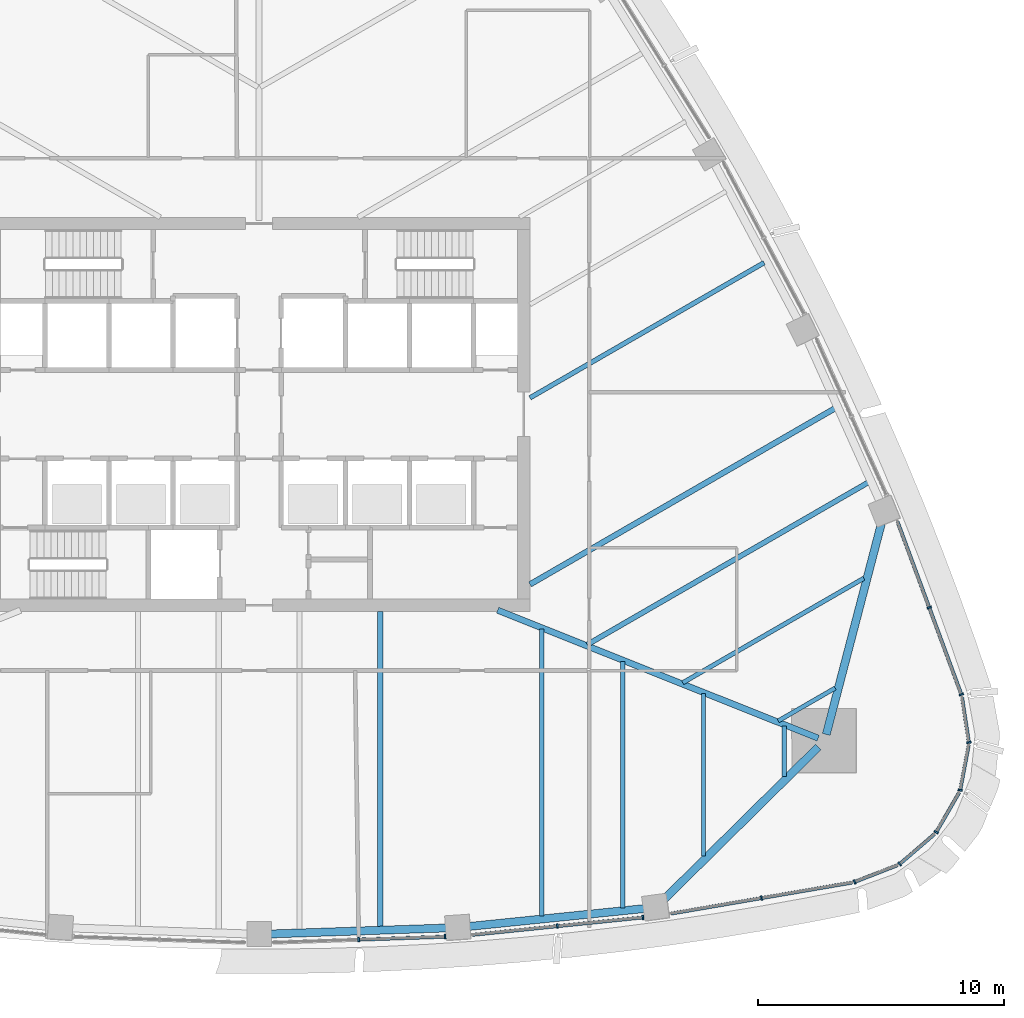
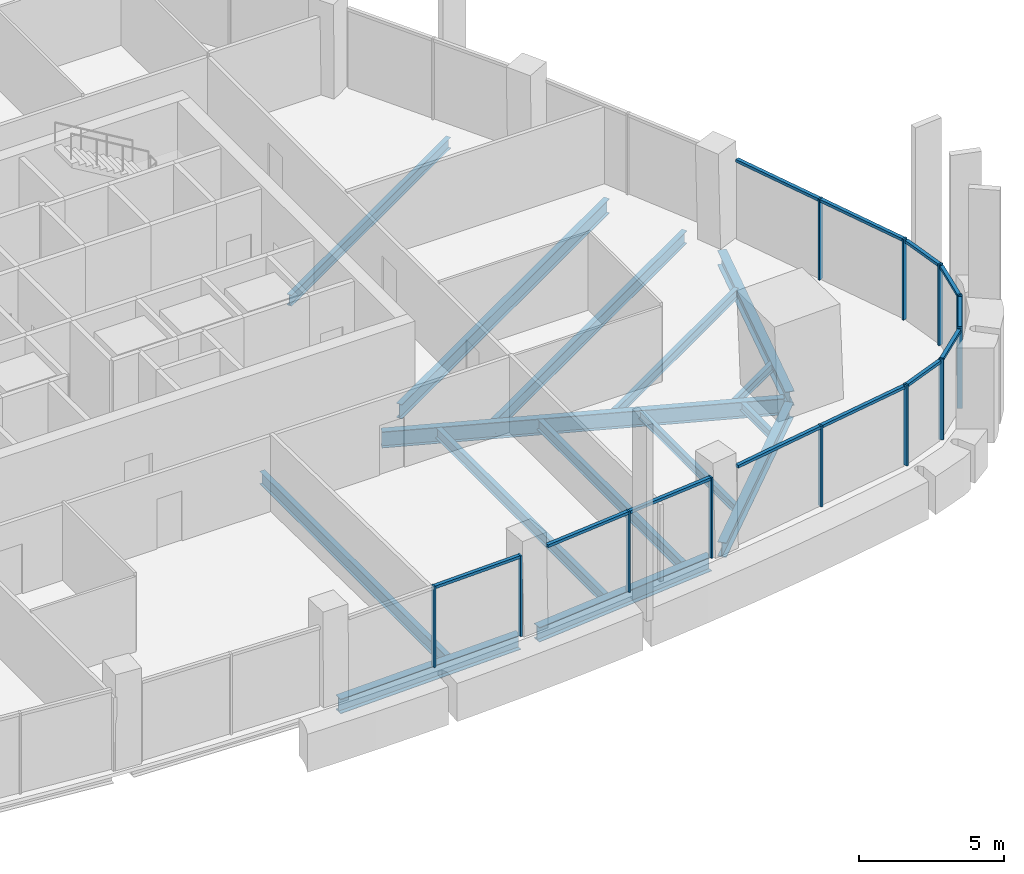
# One storey, part 4 of 17: 24 members, 15 beams, 9 elements without a shape of their own.
"""IFC4 building model written with IfcOpenShell, lengths in metres."""

from ifc_helpers import new_model, si_unit, direction, frame, origin, origin_2d, place, context, subcontext, project, spatial, rectangle, i_section, extrude, material, layer, layer_set, material_profile, profile_set, type_object, element, aggregate, save


model = new_model("IFC4")

# Units and contexts
model_context = context("Model", 3, precision=1e-05, world=origin(), true_north=direction((0.0, 1.0)))
body_context = subcontext(model_context, "Body", "Model", "MODEL_VIEW")
ifc_project = project(units=[si_unit("LENGTHUNIT", "METRE"), si_unit("AREAUNIT", "SQUARE_METRE"), si_unit("VOLUMEUNIT", "CUBIC_METRE"), si_unit("PLANEANGLEUNIT", "RADIAN"), si_unit("MASSUNIT", "GRAM", prefix="KILO")], contexts=[model_context])

# Site, building, storey
site_placement = place(None, origin())
site = spatial("IfcSite", under=ifc_project, at=site_placement, CompositionType="ELEMENT")
building_placement = place(site_placement, origin())
building = spatial("IfcBuilding", under=site, at=building_placement, Name="Sierra Prisma Convention Tower", CompositionType="ELEMENT")
storey_placement = place(building_placement, frame((0.0, 0.0, 201.800048828125)))
storey = spatial("IfcBuildingStorey", under=building, at=storey_placement, Name="L45", CompositionType="ELEMENT", Elevation=201.800048828125)

# Curtain wall, members
ifc_material_1 = material(Name="Aluminium and glass curtain wall", Category="aluminium")
ifc_layer = layer(ifc_material_1, 0.179931640625)
ifc_layer_set = layer_set([ifc_layer], Name="CW-1 Plain shaft curtain wall")
curtain_wall_type = type_object("IfcCurtainWallType", Name="CW-1 Plain shaft curtain wall", PredefinedType="NOTDEFINED", material=ifc_layer_set)
curtain_wall_1_placement = place(storey_placement, origin())
curtain_wall_1 = element("IfcCurtainWall", 1, at=curtain_wall_1_placement, inside=storey, type_object=curtain_wall_type, Name="CW-1 S4 L45", PredefinedType="NOTDEFINED")
ifc_material_2 = material(Name="Aluminium 6063-T6 bronze anodised", Category="aluminium")
ifc_material_profile_1 = material_profile(ifc_material_2, rectangle(XDim=0.179931640625, YDim=0.070068359375, at=origin_2d()), Name="ALU MULLION 70x180")
ifc_profile_set_1 = profile_set([ifc_material_profile_1], Name="Aluminium 6063-T6 bronze anodised")
member_type_1 = type_object("IfcMemberType", Name="CW mullion bronze", PredefinedType="MULLION", material=ifc_profile_set_1)
member_1_placement = place(storey_placement, frame((4.04345703125, -21.329833984375, 0.0), z_axis=(0.0, 0.0, 1.0), x_axis=(-0.033918030804, 0.999424618061, 0.0)))
member_1 = element("IfcMember", 2, at=member_1_placement, type_object=member_type_1, Name="CW-1 mullion S4.2", PredefinedType="MULLION", context=body_context, shape_type="SweptSolid", body=[
    extrude(rectangle(XDim=0.179931640625, YDim=0.070068359375, at=origin_2d()), origin(), (0.0, 0.0, 1.0), 3.39990234375),
])
member_2_placement = place(storey_placement, frame((7.552001953125, -21.2109375, 0.0), z_axis=(0.0, 0.0, 1.0), x_axis=(-0.033918030804, 0.999424618061, 0.0)))
member_2 = element("IfcMember", 3, at=member_2_placement, type_object=member_type_1, Name="CW-1 mullion S4.3", PredefinedType="MULLION", context=body_context, shape_type="SweptSolid", body=[
    extrude(rectangle(XDim=0.179931640625, YDim=0.070068359375, at=origin_2d()), origin(), (0.0, 0.0, 1.0), 3.39990234375),
])

curtain_wall_2_placement = place(storey_placement, origin())
curtain_wall_2 = element("IfcCurtainWall", 4, at=curtain_wall_2_placement, inside=storey, type_object=curtain_wall_type, Name="CW-1 S5 L45", PredefinedType="NOTDEFINED")
member_3_placement = place(storey_placement, frame((12.10791015625, -20.782958984375, 0.0), z_axis=(0.0, 0.0, 1.0), x_axis=(-0.101598010731, 0.994825534561, 0.0)))
member_3 = element("IfcMember", 5, at=member_3_placement, type_object=member_type_1, Name="CW-1 mullion S5.2", PredefinedType="MULLION", context=body_context, shape_type="SweptSolid", body=[
    extrude(rectangle(XDim=0.179931640625, YDim=0.070068359375, at=origin_2d()), origin(), (0.0, 0.0, 1.0), 3.39990234375),
])
member_4_placement = place(storey_placement, frame((15.584716796875, -20.427734375, 0.0), z_axis=(0.0, 0.0, 1.0), x_axis=(-0.101598010731, 0.994825534561, 0.0)))
member_4 = element("IfcMember", 6, at=member_4_placement, type_object=member_type_1, Name="CW-1 mullion S5.3", PredefinedType="MULLION", context=body_context, shape_type="SweptSolid", body=[
    extrude(rectangle(XDim=0.179931640625, YDim=0.070068359375, at=origin_2d()), origin(), (0.0, 0.0, 1.0), 3.39990234375),
])

# Curtain wall, member
curtain_wall_3_placement = place(storey_placement, origin())
curtain_wall_3 = element("IfcCurtainWall", 7, at=curtain_wall_3_placement, inside=storey, type_object=curtain_wall_type, Name="CW-1 S6 L45", PredefinedType="NOTDEFINED")
member_5_placement = place(storey_placement, frame((20.401123046875, -19.642822265625, 0.0), z_axis=(0.0, 0.0, 1.0), x_axis=(-0.168810463918, 0.985648531309, 0.0)))
member_5 = element("IfcMember", 8, at=member_5_placement, type_object=member_type_1, Name="CW-1 mullion S6.2", PredefinedType="MULLION", context=body_context, shape_type="SweptSolid", body=[
    extrude(rectangle(XDim=0.179931640625, YDim=0.070068359375, at=origin_2d()), origin(), (0.0, 0.0, 1.0), 3.39990234375),
])

curtain_wall_4_placement = place(storey_placement, origin())
curtain_wall_4 = element("IfcCurtainWall", 9, at=curtain_wall_4_placement, inside=storey, type_object=curtain_wall_type, Name="CW-1 SE1 L45", PredefinedType="NOTDEFINED")
member_6_placement = place(storey_placement, frame((24.18115234375, -18.98828125, 0.0), z_axis=(0.0, 0.0, 1.0), x_axis=(-0.363737672721, 0.931501425358, 0.0)))
member_6 = element("IfcMember", 10, at=member_6_placement, type_object=member_type_1, Name="CW-1 mullion SE1.1", PredefinedType="MULLION", context=body_context, shape_type="SweptSolid", body=[
    extrude(rectangle(XDim=0.179931640625, YDim=0.070068359375, at=origin_2d()), origin(), (0.0, 0.0, 1.0), 3.39990234375),
])

curtain_wall_5_placement = place(storey_placement, origin())
curtain_wall_5 = element("IfcCurtainWall", 11, at=curtain_wall_5_placement, inside=storey, type_object=curtain_wall_type, Name="CW-1 SE2 L45", PredefinedType="NOTDEFINED")
member_7_placement = place(storey_placement, frame((26.009765625, -18.26171875, 0.0), z_axis=(0.0, 0.0, 1.0), x_axis=(-0.65163461856, 0.758533007782, 0.0)))
member_7 = element("IfcMember", 12, at=member_7_placement, type_object=member_type_1, Name="CW-1 mullion SE2.1", PredefinedType="MULLION", context=body_context, shape_type="SweptSolid", body=[
    extrude(rectangle(XDim=0.179931640625, YDim=0.070068359375, at=origin_2d()), origin(), (0.0, 0.0, 1.0), 3.39990234375),
])

curtain_wall_6_placement = place(storey_placement, origin())
curtain_wall_6 = element("IfcCurtainWall", 13, at=curtain_wall_6_placement, inside=storey, type_object=curtain_wall_type, Name="CW-1 SE3 L45", PredefinedType="NOTDEFINED")
member_8_placement = place(storey_placement, frame((27.49462890625, -16.970703125, 0.0), z_axis=(0.0, 0.0, 1.0), x_axis=(-0.866025403784, 0.5, 0.0)))
member_8 = element("IfcMember", 14, at=member_8_placement, type_object=member_type_1, Name="CW-1 mullion SE3.1", PredefinedType="MULLION", context=body_context, shape_type="SweptSolid", body=[
    extrude(rectangle(XDim=0.179931640625, YDim=0.070068359375, at=origin_2d()), origin(), (0.0, 0.0, 1.0), 3.39990234375),
])

curtain_wall_7_placement = place(storey_placement, origin())
curtain_wall_7 = element("IfcCurtainWall", 15, at=curtain_wall_7_placement, inside=storey, type_object=curtain_wall_type, Name="CW-1 SE4 L45", PredefinedType="NOTDEFINED")
member_9_placement = place(storey_placement, frame((28.468505859375, -15.260986328125, 0.0), z_axis=(0.0, 0.0, 1.0), x_axis=(-0.982726163628, 0.185065629767, 0.0)))
member_9 = element("IfcMember", 16, at=member_9_placement, type_object=member_type_1, Name="CW-1 mullion SE4.1", PredefinedType="MULLION", context=body_context, shape_type="SweptSolid", body=[
    extrude(rectangle(XDim=0.179931640625, YDim=0.070068359375, at=origin_2d()), origin(), (0.0, 0.0, 1.0), 3.39990234375),
])

curtain_wall_8_placement = place(storey_placement, origin())
curtain_wall_8 = element("IfcCurtainWall", 17, at=curtain_wall_8_placement, inside=storey, type_object=curtain_wall_type, Name="CW-1 SE5 L45", PredefinedType="NOTDEFINED")
member_10_placement = place(storey_placement, frame((28.8212890625, -13.3251953125, 0.0), z_axis=(0.0, 0.0, 1.0), x_axis=(-0.988572734382, -0.15074464779, 0.0)))
member_10 = element("IfcMember", 18, at=member_10_placement, type_object=member_type_1, Name="CW-1 mullion SE5.1", PredefinedType="MULLION", context=body_context, shape_type="SweptSolid", body=[
    extrude(rectangle(XDim=0.179931640625, YDim=0.070068359375, at=origin_2d()), origin(), (0.0, 0.0, 1.0), 3.39990234375),
])

# Curtain wall, members
curtain_wall_9_placement = place(storey_placement, origin())
curtain_wall_9 = element("IfcCurtainWall", 19, at=curtain_wall_9_placement, inside=storey, type_object=curtain_wall_type, Name="CW-1 NE1 L45", PredefinedType="NOTDEFINED")
member_11_placement = place(storey_placement, frame((28.517333984375, -11.3798828125, 0.0), z_axis=(0.0, 0.0, 1.0), x_axis=(-0.938001899275, -0.346630115477, 0.0)))
member_11 = element("IfcMember", 20, at=member_11_placement, type_object=member_type_1, Name="CW-1 mullion NE1.1", PredefinedType="MULLION", context=body_context, shape_type="SweptSolid", body=[
    extrude(rectangle(XDim=0.179931640625, YDim=0.070068359375, at=origin_2d()), origin(), (0.0, 0.0, 1.0), 3.39990234375),
])
member_12_placement = place(storey_placement, frame((27.211669921875, -7.846435546875, 0.0), z_axis=(0.0, 0.0, 1.0), x_axis=(-0.938001899275, -0.346630115477, 0.0)))
member_12 = element("IfcMember", 21, at=member_12_placement, type_object=member_type_1, Name="CW-1 mullion NE1.2", PredefinedType="MULLION", context=body_context, shape_type="SweptSolid", body=[
    extrude(rectangle(XDim=0.179931640625, YDim=0.070068359375, at=origin_2d()), origin(), (0.0, 0.0, 1.0), 3.39990234375),
])

# Member
ifc_material_3 = material(Name="Aluminium 6063-T6 bronze anodised", Category="aluminium")
ifc_material_profile_2 = material_profile(ifc_material_3, rectangle(XDim=0.139892578125, YDim=0.1201171875, at=origin_2d()), Name="ALU TRANSOM 120x140")
ifc_profile_set_2 = profile_set([ifc_material_profile_2], Name="Aluminium 6063-T6 bronze anodised")
member_type_2 = type_object("IfcMemberType", Name="CW transom bronze", PredefinedType="USERDEFINED", material=ifc_profile_set_2)
member_13_placement = place(storey_placement, frame((4.078369140625, -21.32861328125, 3.33984375), z_axis=(0.999424643323, 0.03391728644, 0.0), x_axis=(-0.03391728644, 0.999424643323, 0.0)))
member_13 = element("IfcMember", 22, at=member_13_placement, type_object=member_type_2, Name="CW-1 transom S4.2", ObjectType="TRANSOM", PredefinedType="USERDEFINED", context=body_context, shape_type="SweptSolid", body=[
    extrude(rectangle(XDim=0.139892578125, YDim=0.1201171875, at=origin_2d()), origin(), (0.0, 0.0, 1.0), 3.440673828125),
])

aggregate(curtain_wall_1, [member_1, member_2, member_13])

member_14_placement = place(storey_placement, frame((8.666259765625, -21.13427734375, 3.33984375), z_axis=(0.994826793657, 0.101585681187, 0.0), x_axis=(-0.101585681187, 0.994826793657, 0.0)))
member_14 = element("IfcMember", 23, at=member_14_placement, type_object=member_type_2, Name="CW-1 transom S5.1", ObjectType="TRANSOM", PredefinedType="USERDEFINED", context=body_context, shape_type="SweptSolid", body=[
    extrude(rectangle(XDim=0.139892578125, YDim=0.1201171875, at=origin_2d()), origin(), (0.0, 0.0, 1.0), 3.4248046875),
])

member_15_placement = place(storey_placement, frame((12.142822265625, -20.779296875, 3.33984375), z_axis=(0.994826793657, 0.101585681187, 0.0), x_axis=(-0.101585681187, 0.994826793657, 0.0)))
member_15 = element("IfcMember", 24, at=member_15_placement, type_object=member_type_2, Name="CW-1 transom S5.2", ObjectType="TRANSOM", PredefinedType="USERDEFINED", context=body_context, shape_type="SweptSolid", body=[
    extrude(rectangle(XDim=0.139892578125, YDim=0.1201171875, at=origin_2d()), origin(), (0.0, 0.0, 1.0), 3.4248046875),
])

aggregate(curtain_wall_2, [member_3, member_4, member_14, member_15])

member_16_placement = place(storey_placement, frame((16.722900390625, -20.272705078125, 3.33984375), z_axis=(0.985650521521, 0.168798843083, 0.0), x_axis=(-0.168798843083, 0.985650521521, 0.0)))
member_16 = element("IfcMember", 25, at=member_16_placement, type_object=member_type_2, Name="CW-1 transom S6.1", ObjectType="TRANSOM", PredefinedType="USERDEFINED", context=body_context, shape_type="SweptSolid", body=[
    extrude(rectangle(XDim=0.139892578125, YDim=0.1201171875, at=origin_2d()), origin(), (0.0, 0.0, 1.0), 3.69677734375),
])

member_17_placement = place(storey_placement, frame((20.435546875, -19.63671875, 3.33984375), z_axis=(0.985652403025, 0.168787856233, 0.0), x_axis=(-0.168787856233, 0.985652403025, 0.0)))
member_17 = element("IfcMember", 26, at=member_17_placement, type_object=member_type_2, Name="CW-1 transom S6.2", ObjectType="TRANSOM", PredefinedType="USERDEFINED", context=body_context, shape_type="SweptSolid", body=[
    extrude(rectangle(XDim=0.139892578125, YDim=0.1201171875, at=origin_2d()), origin(), (0.0, 0.0, 1.0), 3.697021484375),
])

aggregate(curtain_wall_3, [member_5, member_16, member_17])

member_18_placement = place(storey_placement, frame((24.213623046875, -18.9755859375, 3.33984375), z_axis=(0.931500445326, 0.363740182489, 0.0), x_axis=(-0.363740182489, 0.931500445326, 0.0)))
member_18 = element("IfcMember", 27, at=member_18_placement, type_object=member_type_2, Name="CW-1 transom SE1.1", ObjectType="TRANSOM", PredefinedType="USERDEFINED", context=body_context, shape_type="SweptSolid", body=[
    extrude(rectangle(XDim=0.139892578125, YDim=0.1201171875, at=origin_2d()), origin(), (0.0, 0.0, 1.0), 1.82958984375),
])

aggregate(curtain_wall_4, [member_6, member_18])

member_19_placement = place(storey_placement, frame((26.0361328125, -18.239013671875, 3.33984375), z_axis=(0.758521495922, 0.65164801866, 0.0), x_axis=(-0.65164801866, 0.758521495922, 0.0)))
member_19 = element("IfcMember", 28, at=member_19_placement, type_object=member_type_2, Name="CW-1 transom SE2.1", ObjectType="TRANSOM", PredefinedType="USERDEFINED", context=body_context, shape_type="SweptSolid", body=[
    extrude(rectangle(XDim=0.139892578125, YDim=0.1201171875, at=origin_2d()), origin(), (0.0, 0.0, 1.0), 1.829833984375),
])

aggregate(curtain_wall_5, [member_7, member_19])

member_20_placement = place(storey_placement, frame((27.51220703125, -16.9404296875, 3.33984375), z_axis=(0.499999675036, 0.866025591402, 0.0), x_axis=(-0.866025591402, 0.499999675036, 0.0)))
member_20 = element("IfcMember", 29, at=member_20_placement, type_object=member_type_2, Name="CW-1 transom SE3.1", ObjectType="TRANSOM", PredefinedType="USERDEFINED", context=body_context, shape_type="SweptSolid", body=[
    extrude(rectangle(XDim=0.139892578125, YDim=0.1201171875, at=origin_2d()), origin(), (0.0, 0.0, 1.0), 1.82958984375),
])

aggregate(curtain_wall_6, [member_8, member_20])

member_21_placement = place(storey_placement, frame((28.474853515625, -15.2265625, 3.33984375), z_axis=(0.185094204862, 0.982720781976, 0.0), x_axis=(-0.982720781976, 0.185094204862, 0.0)))
member_21 = element("IfcMember", 30, at=member_21_placement, type_object=member_type_2, Name="CW-1 transom SE4.1", ObjectType="TRANSOM", PredefinedType="USERDEFINED", context=body_context, shape_type="SweptSolid", body=[
    extrude(rectangle(XDim=0.139892578125, YDim=0.1201171875, at=origin_2d()), origin(), (0.0, 0.0, 1.0), 1.829345703125),
])

aggregate(curtain_wall_7, [member_9, member_21])

member_22_placement = place(storey_placement, frame((28.81591796875, -13.29052734375, 3.33984375), z_axis=(-0.150793568955, 0.988565273293, 0.0), x_axis=(-0.988565273293, -0.150793568955, 0.0)))
member_22 = element("IfcMember", 31, at=member_22_placement, type_object=member_type_2, Name="CW-1 transom SE5.1", ObjectType="TRANSOM", PredefinedType="USERDEFINED", context=body_context, shape_type="SweptSolid", body=[
    extrude(rectangle(XDim=0.139892578125, YDim=0.1201171875, at=origin_2d()), origin(), (0.0, 0.0, 1.0), 1.82958984375),
])

aggregate(curtain_wall_8, [member_10, member_22])

member_23_placement = place(storey_placement, frame((28.50537109375, -11.34716796875, 3.33984375), z_axis=(-0.346632457505, 0.938001033797, 0.0), x_axis=(-0.938001033797, -0.346632457505, 0.0)))
member_23 = element("IfcMember", 32, at=member_23_placement, type_object=member_type_2, Name="CW-1 transom NE1.1", ObjectType="TRANSOM", PredefinedType="USERDEFINED", context=body_context, shape_type="SweptSolid", body=[
    extrude(rectangle(XDim=0.139892578125, YDim=0.1201171875, at=origin_2d()), origin(), (0.0, 0.0, 1.0), 3.697021484375),
])

member_24_placement = place(storey_placement, frame((27.199462890625, -7.813720703125, 3.33984375), z_axis=(-0.346574352412, 0.938022504128, 0.0), x_axis=(-0.938022504128, -0.346574352412, 0.0)))
member_24 = element("IfcMember", 33, at=member_24_placement, type_object=member_type_2, Name="CW-1 transom NE1.2", ObjectType="TRANSOM", PredefinedType="USERDEFINED", context=body_context, shape_type="SweptSolid", body=[
    extrude(rectangle(XDim=0.139892578125, YDim=0.1201171875, at=origin_2d()), origin(), (0.0, 0.0, 1.0), 3.69677734375),
])

aggregate(curtain_wall_9, [member_11, member_12, member_23, member_24])

# Beams
ifc_material_4 = material(Name="Steel ASTM A992 Gr 50", Category="steel")
ifc_material_profile_3 = material_profile(ifc_material_4, i_section(OverallWidth=0.172119140625, OverallDepth=0.35791015625, WebThickness=0.0078125, FlangeThickness=0.01318359375, at=origin_2d()), Name="W360x57")
ifc_profile_set_3 = profile_set([ifc_material_profile_3], Name="Steel ASTM A992 Gr 50")
beam_type_1 = type_object("IfcBeamType", Name="Floor joist W360x57", PredefinedType="JOIST", material=ifc_profile_set_3)
beam_1_placement = place(storey_placement, frame((18.04248046875, -17.93896484375, -0.3291015625), z_axis=(0.0, 1.0, 0.0), x_axis=(-1.0, 0.0, 0.0)))
element("IfcBeam", 34, at=beam_1_placement, inside=storey, type_object=beam_type_1, Name="Floor joist L45 S13", PredefinedType="JOIST", context=body_context, shape_type="SweptSolid", body=[
    extrude(i_section(OverallWidth=0.172119140625, OverallDepth=0.35791015625, WebThickness=0.0078125, FlangeThickness=0.01318359375, at=origin_2d()), origin(), (0.0, 0.0, 1.0), 6.592041015625),
])
beam_2_placement = place(storey_placement, frame((21.32275390625, -14.69921875, -0.3291015625), z_axis=(0.0, 1.0, 0.0), x_axis=(-1.0, 0.0, 0.0)))
element("IfcBeam", 35, at=beam_2_placement, inside=storey, type_object=beam_type_1, Name="Floor joist L45 S14", PredefinedType="JOIST", context=body_context, shape_type="SweptSolid", body=[
    extrude(i_section(OverallWidth=0.172119140625, OverallDepth=0.35791015625, WebThickness=0.0078125, FlangeThickness=0.01318359375, at=origin_2d()), origin(), (0.0, 0.0, 1.0), 2.0419921875),
])
beam_3_placement = place(storey_placement, frame((23.391357421875, -11.116455078125, -0.3291015625), z_axis=(-0.866016491138, -0.500015436839, 0.0), x_axis=(0.500015436839, -0.866016491138, 0.0)))
element("IfcBeam", 36, at=beam_3_placement, inside=storey, type_object=beam_type_1, Name="Floor joist L45 NE01", PredefinedType="JOIST", context=body_context, shape_type="SweptSolid", body=[
    extrude(i_section(OverallWidth=0.172119140625, OverallDepth=0.35791015625, WebThickness=0.0078125, FlangeThickness=0.01318359375, at=origin_2d()), origin(), (0.0, 0.0, 1.0), 2.6689453125),
])
ifc_material_5 = material(Name="Steel ASTM A992 Gr 50", Category="steel")
ifc_material_profile_4 = material_profile(ifc_material_5, i_section(OverallWidth=0.177978515625, OverallDepth=0.406982421875, WebThickness=0.0078125, FlangeThickness=0.0126953125, at=origin_2d()), Name="W410x60")
ifc_profile_set_4 = profile_set([ifc_material_profile_4], Name="Steel ASTM A992 Gr 50")
beam_type_2 = type_object("IfcBeamType", Name="Floor joist W410x60", PredefinedType="JOIST", material=ifc_profile_set_4)
beam_4_placement = place(storey_placement, frame((24.556640625, -6.65576171875, -0.353515625), z_axis=(-0.866026642527, -0.499997854429, 0.0), x_axis=(0.499997854429, -0.866026642527, 0.0)))
element("IfcBeam", 37, at=beam_4_placement, inside=storey, type_object=beam_type_2, Name="Floor joist L45 NE02", PredefinedType="JOIST", context=body_context, shape_type="SweptSolid", body=[
    extrude(i_section(OverallWidth=0.177978515625, OverallDepth=0.406982421875, WebThickness=0.0078125, FlangeThickness=0.0126953125, at=origin_2d()), origin(), (0.0, 0.0, 1.0), 8.4921875),
])
ifc_material_6 = material(Name="Steel ASTM A992 Gr 50", Category="steel")
ifc_material_profile_5 = material_profile(ifc_material_6, i_section(OverallWidth=0.18994140625, OverallDepth=0.45703125, WebThickness=0.009033203125, FlangeThickness=0.014404296875, at=origin_2d()), Name="W460x74")
ifc_profile_set_5 = profile_set([ifc_material_profile_5], Name="Steel ASTM A992 Gr 50")
beam_type_3 = type_object("IfcBeamType", Name="Floor joist W460x74", PredefinedType="JOIST", material=ifc_profile_set_5)
beam_5_placement = place(storey_placement, frame((11.4814453125, -20.3818359375, -0.378662109375), z_axis=(0.0, 1.0, 0.0), x_axis=(-1.0, 0.0, 0.0)))
element("IfcBeam", 38, at=beam_5_placement, inside=storey, type_object=beam_type_3, Name="Floor joist L45 S11", PredefinedType="JOIST", context=body_context, shape_type="SweptSolid", body=[
    extrude(i_section(OverallWidth=0.18994140625, OverallDepth=0.45703125, WebThickness=0.009033203125, FlangeThickness=0.014404296875, at=origin_2d()), origin(), (0.0, 0.0, 1.0), 11.655517578125),
])
beam_6_placement = place(storey_placement, frame((14.761962890625, -20.046875, -0.378662109375), z_axis=(0.0, 1.0, 0.0), x_axis=(-1.0, 0.0, 0.0)))
element("IfcBeam", 39, at=beam_6_placement, inside=storey, type_object=beam_type_3, Name="Floor joist L45 S12", PredefinedType="JOIST", context=body_context, shape_type="SweptSolid", body=[
    extrude(i_section(OverallWidth=0.18994140625, OverallDepth=0.45703125, WebThickness=0.009033203125, FlangeThickness=0.014404296875, at=origin_2d()), origin(), (0.0, 0.0, 1.0), 10.01025390625),
])
beam_7_placement = place(storey_placement, frame((20.506103515625, 6.157470703125, -0.378662109375), z_axis=(-0.866018541051, -0.500011886415, 0.0), x_axis=(0.500011886415, -0.866018541051, 0.0)))
element("IfcBeam", 40, at=beam_7_placement, inside=storey, type_object=beam_type_3, Name="Floor joist L45 NE06", PredefinedType="JOIST", context=body_context, shape_type="SweptSolid", body=[
    extrude(i_section(OverallWidth=0.18994140625, OverallDepth=0.45703125, WebThickness=0.009033203125, FlangeThickness=0.014404296875, at=origin_2d()), origin(), (0.0, 0.0, 1.0), 10.976806640625),
])
ifc_material_7 = material(Name="Steel ASTM A992 Gr 50", Category="steel")
ifc_material_profile_6 = material_profile(ifc_material_7, i_section(OverallWidth=0.208984375, OverallDepth=0.532958984375, WebThickness=0.01025390625, FlangeThickness=0.015625, at=origin_2d()), Name="W530x92")
ifc_profile_set_6 = profile_set([ifc_material_profile_6], Name="Steel ASTM A992 Gr 50")
beam_type_4 = type_object("IfcBeamType", Name="Floor joist W530x92", PredefinedType="JOIST", material=ifc_profile_set_6)
beam_8_placement = place(storey_placement, frame((4.920654296875, -20.837646484375, -0.41650390625), z_axis=(0.0, 1.0, 0.0), x_axis=(-1.0, 0.0, 0.0)))
element("IfcBeam", 41, at=beam_8_placement, inside=storey, type_object=beam_type_4, Name="Floor joist L45 S09", PredefinedType="JOIST", context=body_context, shape_type="SweptSolid", body=[
    extrude(i_section(OverallWidth=0.208984375, OverallDepth=0.532958984375, WebThickness=0.01025390625, FlangeThickness=0.015625, at=origin_2d()), origin(), (0.0, 0.0, 1.0), 12.837646484375),
])
beam_9_placement = place(storey_placement, frame((24.741943359375, -2.7607421875, -0.41650390625), z_axis=(-0.866016904474, -0.500014720949, 0.0), x_axis=(0.500014720949, -0.866016904474, 0.0)))
element("IfcBeam", 42, at=beam_9_placement, inside=storey, type_object=beam_type_4, Name="Floor joist L45 NE03", PredefinedType="JOIST", context=body_context, shape_type="SweptSolid", body=[
    extrude(i_section(OverallWidth=0.208984375, OverallDepth=0.532958984375, WebThickness=0.01025390625, FlangeThickness=0.015625, at=origin_2d()), origin(), (0.0, 0.0, 1.0), 13.18408203125),
])
ifc_material_8 = material(Name="Steel ASTM A992 Gr 50", Category="steel")
ifc_material_profile_7 = material_profile(ifc_material_8, i_section(OverallWidth=0.22802734375, OverallDepth=0.60302734375, WebThickness=0.010498046875, FlangeThickness=0.014892578125, at=origin_2d()), Name="W610x101")
ifc_profile_set_7 = profile_set([ifc_material_profile_7], Name="Steel ASTM A992 Gr 50")
beam_type_5 = type_object("IfcBeamType", Name="Floor joist W610x101", PredefinedType="JOIST", material=ifc_profile_set_7)
beam_10_placement = place(storey_placement, frame((23.391845703125, 0.24755859375, -0.45166015625), z_axis=(-0.866022209243, -0.500005533067, 0.0), x_axis=(0.500005533067, -0.866022209243, 0.0)))
element("IfcBeam", 43, at=beam_10_placement, inside=storey, type_object=beam_type_5, Name="Floor joist L45 NE04", PredefinedType="JOIST", context=body_context, shape_type="SweptSolid", body=[
    extrude(i_section(OverallWidth=0.22802734375, OverallDepth=0.60302734375, WebThickness=0.010498046875, FlangeThickness=0.014892578125, at=origin_2d()), origin(), (0.0, 0.0, 1.0), 14.308837890625),
])
ifc_material_9 = material(Name="Steel ASTM A992 Gr 50", Category="steel")
ifc_material_profile_8 = material_profile(ifc_material_9, i_section(OverallWidth=0.25390625, OverallDepth=0.68408203125, WebThickness=0.012451171875, FlangeThickness=0.018798828125, at=origin_2d()), Name="W690x140")
ifc_profile_set_8 = profile_set([ifc_material_profile_8], Name="Steel ASTM A992 Gr 50")
beam_type_6 = type_object("IfcBeamType", Name="Radial girder W690x140", PredefinedType="BEAM", material=ifc_profile_set_8)
beam_11_placement = place(storey_placement, frame((22.703125, -13.15380859375, -0.491943359375), z_axis=(-0.928663995626, 0.370922071638, 0.0), x_axis=(-0.370922071638, -0.928663995626, 0.0)))
element("IfcBeam", 44, at=beam_11_placement, inside=storey, type_object=beam_type_6, Name="Radial girder L45 SE", PredefinedType="BEAM", context=body_context, shape_type="SweptSolid", body=[
    extrude(i_section(OverallWidth=0.25390625, OverallDepth=0.68408203125, WebThickness=0.012451171875, FlangeThickness=0.018798828125, at=origin_2d()), origin(), (0.0, 0.0, 1.0), 14.014404296875),
])
ifc_material_10 = material(Name="Steel ASTM A992 Gr 50", Category="steel")
ifc_material_profile_9 = material_profile(ifc_material_10, i_section(OverallWidth=0.324951171875, OverallDepth=0.615966796875, WebThickness=0.013916015625, FlangeThickness=0.021484375, at=origin_2d()), Name="W610x174")
ifc_profile_set_9 = profile_set([ifc_material_profile_9], Name="Steel ASTM A992 Gr 50")
beam_type_7 = type_object("IfcBeamType", Name="Spandrel beam W610x174", PredefinedType="BEAM", material=ifc_profile_set_9)
beam_12_placement = place(storey_placement, frame((0.380126953125, -21.104248046875, -0.4580078125), z_axis=(0.999424472244, 0.033922327146, 0.0), x_axis=(-0.033922327146, 0.999424472244, 0.0)))
element("IfcBeam", 45, at=beam_12_placement, inside=storey, type_object=beam_type_7, Name="Spandrel L45-04", PredefinedType="BEAM", context=body_context, shape_type="SweptSolid", body=[
    extrude(i_section(OverallWidth=0.324951171875, OverallDepth=0.615966796875, WebThickness=0.013916015625, FlangeThickness=0.021484375, at=origin_2d()), origin(), (0.0, 0.0, 1.0), 7.3193359375),
])
beam_13_placement = place(storey_placement, frame((8.45361328125, -20.804443359375, -0.4580078125), z_axis=(0.994825614839, 0.101597224663, 0.0), x_axis=(-0.101597224663, 0.994825614839, 0.0)))
element("IfcBeam", 46, at=beam_13_placement, inside=storey, type_object=beam_type_7, Name="Spandrel L45-05", PredefinedType="BEAM", context=body_context, shape_type="SweptSolid", body=[
    extrude(i_section(OverallWidth=0.324951171875, OverallDepth=0.615966796875, WebThickness=0.013916015625, FlangeThickness=0.021484375, at=origin_2d()), origin(), (0.0, 0.0, 1.0), 7.319580078125),
])
beam_14_placement = place(storey_placement, frame((16.472900390625, -19.66748046875, -0.4580078125), z_axis=(0.711498275787, 0.702687842183, 0.0), x_axis=(-0.702687842183, 0.711498275787, 0.0)))
element("IfcBeam", 47, at=beam_14_placement, inside=storey, type_object=beam_type_7, Name="Spandrel L45-06", PredefinedType="BEAM", context=body_context, shape_type="SweptSolid", body=[
    extrude(i_section(OverallWidth=0.324951171875, OverallDepth=0.615966796875, WebThickness=0.013916015625, FlangeThickness=0.021484375, at=origin_2d()), origin(), (0.0, 0.0, 1.0), 8.756591796875),
])
beam_15_placement = place(storey_placement, frame((23.031005859375, -12.997802734375, -0.4580078125), z_axis=(0.25277438293, 0.967525251006, 0.0), x_axis=(-0.967525251006, 0.25277438293, 0.0)))
element("IfcBeam", 48, at=beam_15_placement, inside=storey, type_object=beam_type_7, Name="Spandrel L45-07", PredefinedType="BEAM", context=body_context, shape_type="SweptSolid", body=[
    extrude(i_section(OverallWidth=0.324951171875, OverallDepth=0.615966796875, WebThickness=0.013916015625, FlangeThickness=0.021484375, at=origin_2d()), origin(), (0.0, 0.0, 1.0), 8.85302734375),
])

save(model, "model.ifc")
